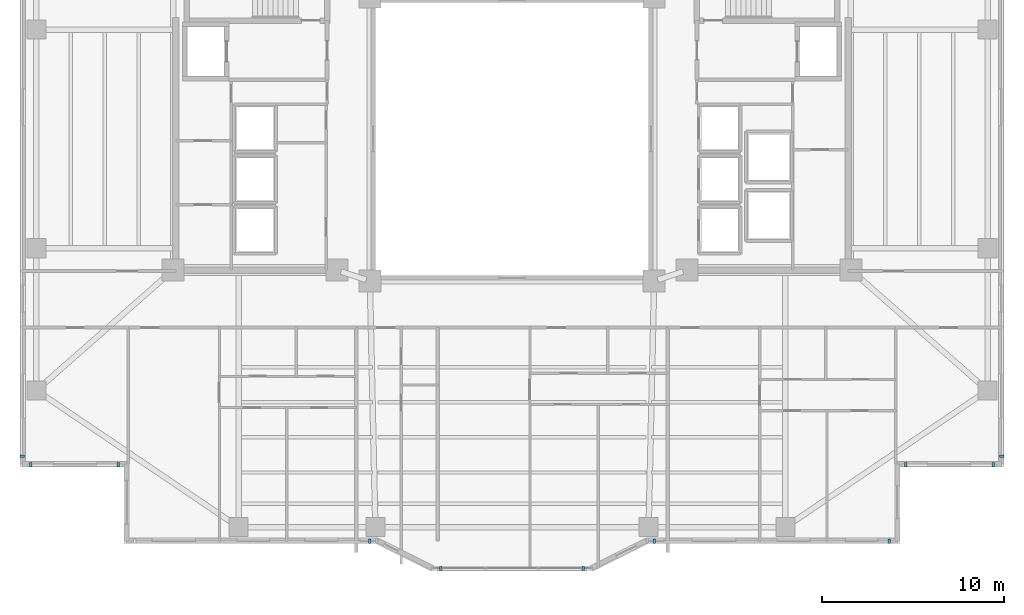
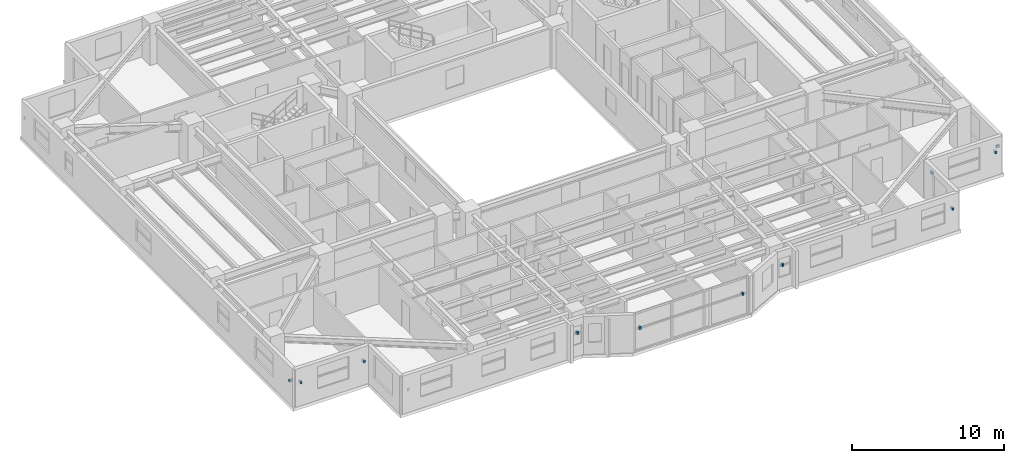
# One storey, part 12 of 18: 11 discrete accessories.
"""IFC4 building model written with IfcOpenShell, lengths in metres."""

from ifc_helpers import new_model, si_unit, direction, frame, origin, origin_2d, place, context, subcontext, project, spatial, rectangle, extrude, material, type_object, element, save


model = new_model("IFC4")

# Units and contexts
model_context = context("Model", 3, precision=1e-05, world=origin(), true_north=direction((0.0, 1.0)))
body_context = subcontext(model_context, "Body", "Model", "MODEL_VIEW")
ifc_project = project(units=[si_unit("LENGTHUNIT", "METRE"), si_unit("AREAUNIT", "SQUARE_METRE"), si_unit("VOLUMEUNIT", "CUBIC_METRE"), si_unit("PLANEANGLEUNIT", "RADIAN"), si_unit("MASSUNIT", "GRAM", prefix="KILO")], contexts=[model_context])

# Site, building, storey
site_placement = place(None, origin())
site = spatial("IfcSite", under=ifc_project, at=site_placement, CompositionType="ELEMENT")
building_placement = place(site_placement, origin())
building = spatial("IfcBuilding", under=site, at=building_placement, Name="Tarnavaz Court Tower", CompositionType="ELEMENT")
storey_placement = place(building_placement, frame((0.0, 0.0, 115.14990234375)))
storey = spatial("IfcBuildingStorey", under=building, at=storey_placement, Name="L31", CompositionType="ELEMENT", Elevation=115.14990234375)

# Discrete accessories
ifc_material = material(Name="Anodised Aluminium 6063-T6", Category="aluminium")
discrete_accessory_type = type_object("IfcDiscreteAccessoryType", Name="DA-BRKT-ALU", PredefinedType="BRACKET", material=ifc_material)
for number, where, z_axis, x_axis, name in (
    (1, (-21.60009765625, -17.8701171875, 1.75), (0.0, 0.0, 1.0), (-1.0, 0.0, 0.0), "L31 Baguette Outrigger Bracket FBG01-1"),
    (2, (-26.39990234375, -17.8701171875, 1.75), (0.0, 0.0, 1.0), (-1.0, 0.0, 0.0), "L31 Baguette Outrigger Bracket FBG01-2"),
    (3, (-26.8701171875, -17.39990234375, 1.75), (0.0, 0.0, 1.0), (0.0, 1.0, 0.0), "L31 Baguette Outrigger Bracket FBG02-1"),
    (4, (26.8701171875, -17.39990234375, 1.75), (0.0, 0.0, 1.0), (0.0, -1.0, 0.0), "L31 Baguette Outrigger Bracket FBG12-2"),
    (5, (26.39990234375, -17.8701171875, 1.75), (0.0, 0.0, 1.0), (-1.0, 0.0, 0.0), "L31 Baguette Outrigger Bracket FBG13-1"),
    (6, (21.60009765625, -17.8701171875, 1.75), (0.0, 0.0, 1.0), (-1.0, 0.0, 0.0), "L31 Baguette Outrigger Bracket FBG13-2"),
    (7, (20.699951171875, -22.070068359375, 1.75), (0.0, 0.0, 1.0), (-1.0, 0.0, 0.0), "L31 Baguette Outrigger Bracket FBG15-1"),
    (8, (7.800048828125, -22.070068359375, 1.75), (0.0, 0.0, 1.0), (-1.0, 0.0, 0.0), "L31 Baguette Outrigger Bracket FBG15-2"),
    (9, (3.89990234375, -23.570068359375, 1.7001953125), (0.0, 0.0, 1.0), (-1.0, 0.0, 0.0), "L31 Baguette Outrigger Bracket PBG17-1"),
    (10, (-3.89990234375, -23.570068359375, 1.7001953125), (0.0, 0.0, 1.0), (-1.0, 0.0, 0.0), "L31 Baguette Outrigger Bracket PBG17-2"),
    (11, (-7.800048828125, -22.070068359375, 1.75), (0.0, 0.0, 1.0), (-1.0, 0.0, 0.0), "L31 Baguette Outrigger Bracket FBG19-1"),
):
    element("IfcDiscreteAccessory", number, at=place(storey_placement, frame(where, z_axis=z_axis, x_axis=x_axis)), inside=storey, type_object=discrete_accessory_type, Name=name, PredefinedType="BRACKET", context=body_context, shape_type="SweptSolid", body=[
        extrude(rectangle(XDim=0.139892578125, YDim=0.239990234375, at=origin_2d()), origin(), (0.0, 0.0, 1.0), 0.199951171875),
    ])

save(model, "model.ifc")
